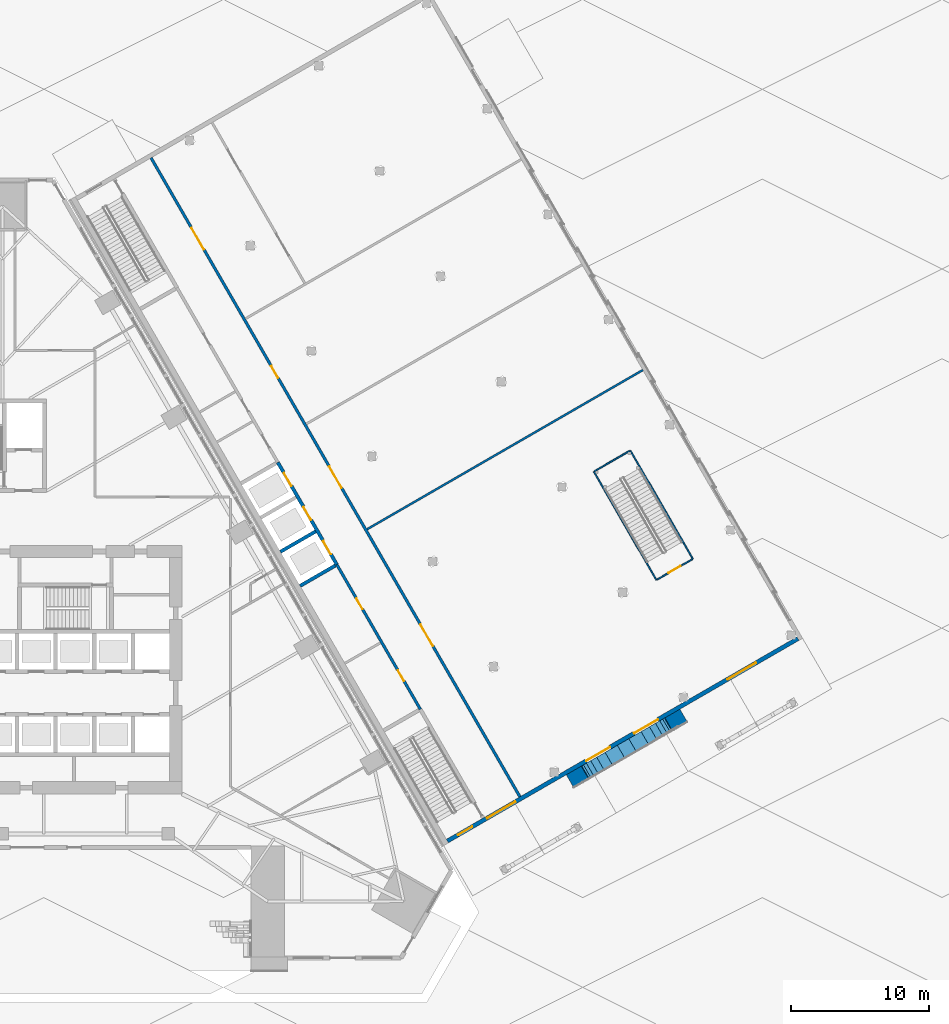
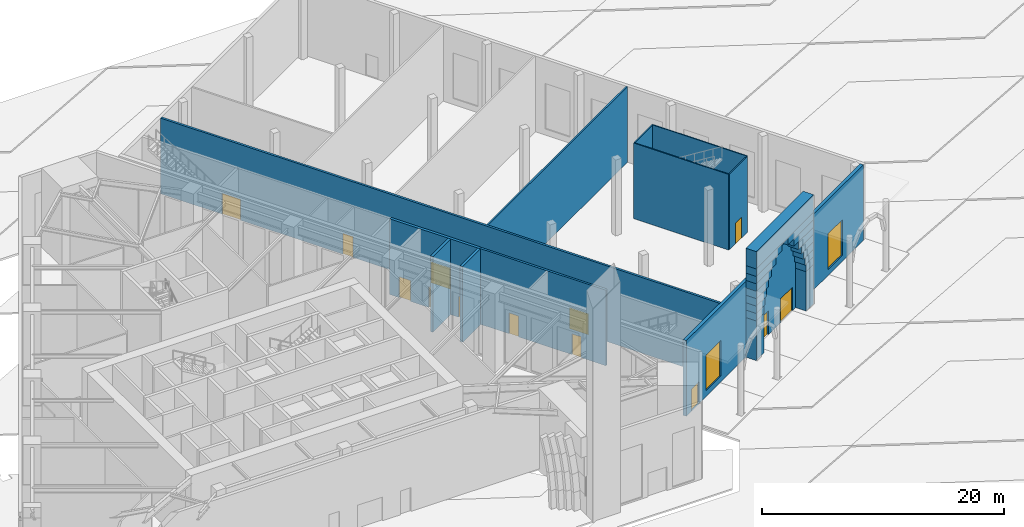
# One storey, part 17 of 34: 28 walls, 13 doors, 2 windows, 15 openings.
"""IFC4 building model written with IfcOpenShell, lengths in metres."""

from ifc_helpers import new_model, si_unit, direction, frame, frame_2d, origin, place, context, subcontext, project, spatial, rectangle, extrude, material, layer, layer_set, type_object, element, fill, save


model = new_model("IFC4")

# Units and contexts
model_context = context("Model", 3, precision=1e-05, world=origin(), true_north=direction((0.0, 1.0)))
body_context = subcontext(model_context, "Body", "Model", "MODEL_VIEW")
ifc_project = project(units=[si_unit("LENGTHUNIT", "METRE"), si_unit("AREAUNIT", "SQUARE_METRE"), si_unit("VOLUMEUNIT", "CUBIC_METRE"), si_unit("PLANEANGLEUNIT", "RADIAN"), si_unit("MASSUNIT", "GRAM", prefix="KILO")], contexts=[model_context])

# Site, building, storey
site_placement = place(None, origin())
site = spatial("IfcSite", under=ifc_project, at=site_placement, CompositionType="ELEMENT")
building_placement = place(site_placement, origin())
building = spatial("IfcBuilding", under=site, at=building_placement, Name="Firuza Gate Tower and Library", CompositionType="ELEMENT")
storey_placement = place(building_placement, origin())
storey = spatial("IfcBuildingStorey", under=building, at=storey_placement, Name="L00", CompositionType="ELEMENT", Elevation=0.0)

# Wall, openings, doors
ifc_material_1 = material(Name="Masonry block", Category="masonry")
ifc_layer_1 = layer(ifc_material_1, 0.199951171875)
ifc_layer_set_1 = layer_set([ifc_layer_1], Name="LIB CORRIDOR WALL 200")
wall_type_1 = type_object("IfcWallType", Name="LIB CORRIDOR WALL 200", PredefinedType="PARTITIONING", material=ifc_layer_set_1)
wall_1_placement = place(storey_placement, frame((105.25, 72.124755859375, 0.0), z_axis=(0.0, 0.0, 1.0), x_axis=(-0.499996309931, 0.866027534236, 0.0)))
wall_1 = element("IfcWall", 1, at=wall_1_placement, inside=storey, type_object=wall_type_1, Name="L00 corr wall 6", PredefinedType="PARTITIONING", context=body_context, shape_type="SweptSolid", body=[
    extrude(rectangle(XDim=12.08984375, YDim=0.199951171875, at=frame_2d((6.044921875, 0.0))), origin(), (0.0, 0.0, 1.0), 7.639892578125),
])
opening_1_placement = place(wall_1_placement, frame((2.364990234375, 0.0, 0.0)))
opening_1 = element("IfcOpeningElement", 2, at=opening_1_placement, cuts=wall_1, Name="Opening LIB-D1-001", PredefinedType="OPENING", context=body_context, shape_type="SweptSolid", body=[
    extrude(rectangle(XDim=0.89990234375, YDim=2.10009765625, at=frame_2d((0.449951171875, 1.050048828125))), frame((0.0, 0.10986328125, 0.0), z_axis=(0.0, -1.0, 0.0), x_axis=(1.0, 0.0, 0.0)), (0.0, 0.0, 1.0), 0.219970703125),
])
opening_2_placement = place(wall_1_placement, frame((8.364990234375, 0.0, 0.0)))
opening_2 = element("IfcOpeningElement", 3, at=opening_2_placement, cuts=wall_1, Name="Opening LIB-D1-002", PredefinedType="OPENING", context=body_context, shape_type="SweptSolid", body=[
    extrude(rectangle(XDim=0.89990234375, YDim=2.10009765625, at=frame_2d((0.449951171875, 1.050048828125))), frame((0.0, 0.10986328125, 0.0), z_axis=(0.0, -1.0, 0.0), x_axis=(1.0, 0.0, 0.0)), (0.0, 0.0, 1.0), 0.219970703125),
])
ifc_material_2 = material(Name="Timber door leaf", Category="wood")
door_type_1 = type_object("IfcDoorType", Name="LIB DOOR 900", OperationType="NOTDEFINED", PredefinedType="DOOR", material=ifc_material_2)
door_1_placement = place(opening_1_placement, origin())
door_1 = element("IfcDoor", 4, at=door_1_placement, inside=storey, type_object=door_type_1, Name="L00 door 3", OperationType="SINGLE_SWING_LEFT", OverallHeight=2.10009765625, OverallWidth=0.89990234375, PredefinedType="DOOR", context=body_context, shape_type="SweptSolid", body=[
    extrude(rectangle(XDim=0.89990234375, YDim=2.10009765625, at=frame_2d((0.449951171875, 1.050048828125))), frame((0.0, 0.02490234375, 0.0), z_axis=(0.0, -1.0, 0.0), x_axis=(1.0, 0.0, 0.0)), (0.0, 0.0, 1.0), 0.050048828125),
])
fill(opening_1, door_1)
door_2_placement = place(opening_2_placement, origin())
door_2 = element("IfcDoor", 5, at=door_2_placement, inside=storey, type_object=door_type_1, Name="L00 door 4", OperationType="SINGLE_SWING_RIGHT", OverallHeight=2.10009765625, OverallWidth=0.89990234375, PredefinedType="DOOR", context=body_context, shape_type="SweptSolid", body=[
    extrude(rectangle(XDim=0.89990234375, YDim=2.10009765625, at=frame_2d((0.449951171875, 1.050048828125))), frame((0.0, 0.02490234375, 0.0), z_axis=(0.0, -1.0, 0.0), x_axis=(1.0, 0.0, 0.0)), (0.0, 0.0, 1.0), 0.050048828125),
])
fill(opening_2, door_2)

wall_2_placement = place(storey_placement, frame((112.45556640625, 65.79443359375, 0.0), z_axis=(0.0, 0.0, 1.0), x_axis=(-0.499998559706, 0.866026235337, 0.0)))
wall_2 = element("IfcWall", 6, at=wall_2_placement, inside=storey, type_object=wall_type_1, Name="L00 corr wall 15", PredefinedType="PARTITIONING", context=body_context, shape_type="SweptSolid", body=[
    extrude(rectangle(XDim=53.400146484375, YDim=0.199951171875, at=frame_2d((26.7001953125, 0.0))), origin(), (0.0, 0.0, 1.0), 7.639892578125),
])
opening_3_placement = place(wall_2_placement, frame((12.60009765625, 0.0, 0.0)))
opening_3 = element("IfcOpeningElement", 7, at=opening_3_placement, cuts=wall_2, Name="Opening LIB-D3-001", PredefinedType="OPENING", context=body_context, shape_type="SweptSolid", body=[
    extrude(rectangle(XDim=1.800048828125, YDim=2.10009765625, at=frame_2d((0.89990234375, 1.050048828125))), frame((0.0, 0.10986328125, 0.0), z_axis=(0.0, -1.0, 0.0), x_axis=(1.0, 0.0, 0.0)), (0.0, 0.0, 1.0), 0.219970703125),
])
opening_4_placement = place(wall_2_placement, frame((25.800048828125, 0.0, 0.0)))
opening_4 = element("IfcOpeningElement", 8, at=opening_4_placement, cuts=wall_2, Name="Opening LIB-D3-002", PredefinedType="OPENING", context=body_context, shape_type="SweptSolid", body=[
    extrude(rectangle(XDim=1.800048828125, YDim=2.10009765625, at=frame_2d((0.89990234375, 1.050048828125))), frame((0.0, 0.10986328125, 0.0), z_axis=(0.0, -1.0, 0.0), x_axis=(1.0, 0.0, 0.0)), (0.0, 0.0, 1.0), 0.219970703125),
])
opening_5_placement = place(wall_2_placement, frame((35.0, 0.0, 0.0)))
opening_5 = element("IfcOpeningElement", 9, at=opening_5_placement, cuts=wall_2, Name="Opening LIB-D2-003", PredefinedType="OPENING", context=body_context, shape_type="SweptSolid", body=[
    extrude(rectangle(XDim=1.0, YDim=2.10009765625, at=frame_2d((0.5, 1.050048828125))), frame((0.0, 0.10986328125, 0.0), z_axis=(0.0, -1.0, 0.0), x_axis=(1.0, 0.0, 0.0)), (0.0, 0.0, 1.0), 0.219970703125),
])
opening_6_placement = place(wall_2_placement, frame((45.75, 0.0, 0.0)))
opening_6 = element("IfcOpeningElement", 10, at=opening_6_placement, cuts=wall_2, Name="Opening LIB-D3-003", PredefinedType="OPENING", context=body_context, shape_type="SweptSolid", body=[
    extrude(rectangle(XDim=1.800048828125, YDim=2.10009765625, at=frame_2d((0.89990234375, 1.050048828125))), frame((0.0, 0.10986328125, 0.0), z_axis=(0.0, -1.0, 0.0), x_axis=(1.0, 0.0, 0.0)), (0.0, 0.0, 1.0), 0.219970703125),
])
ifc_material_3 = material(Name="Timber door leaf", Category="wood")
door_type_2 = type_object("IfcDoorType", Name="LIB DOOR 1000", OperationType="NOTDEFINED", PredefinedType="DOOR", material=ifc_material_3)
door_3_placement = place(opening_5_placement, origin())
door_3 = element("IfcDoor", 11, at=door_3_placement, inside=storey, type_object=door_type_2, Name="L00 door 14", OperationType="SINGLE_SWING_RIGHT", OverallHeight=2.10009765625, OverallWidth=1.0, PredefinedType="DOOR", context=body_context, shape_type="SweptSolid", body=[
    extrude(rectangle(XDim=1.0, YDim=2.10009765625, at=frame_2d((0.5, 1.050048828125))), frame((0.0, 0.02490234375, 0.0), z_axis=(0.0, -1.0, 0.0), x_axis=(1.0, 0.0, 0.0)), (0.0, 0.0, 1.0), 0.050048828125),
])
fill(opening_5, door_3)
ifc_material_4 = material(Name="Timber door leaf", Category="wood")
door_type_3 = type_object("IfcDoorType", Name="LIB DOUBLE DOOR 1800", OperationType="NOTDEFINED", PredefinedType="DOOR", material=ifc_material_4)
door_4_placement = place(opening_3_placement, origin())
door_4 = element("IfcDoor", 12, at=door_4_placement, inside=storey, type_object=door_type_3, Name="L00 door 12", OperationType="DOUBLE_DOOR_SINGLE_SWING", OverallHeight=2.10009765625, OverallWidth=1.800048828125, PredefinedType="DOOR", context=body_context, shape_type="SweptSolid", body=[
    extrude(rectangle(XDim=1.800048828125, YDim=2.10009765625, at=frame_2d((0.89990234375, 1.050048828125))), frame((0.0, 0.02490234375, 0.0), z_axis=(0.0, -1.0, 0.0), x_axis=(1.0, 0.0, 0.0)), (0.0, 0.0, 1.0), 0.050048828125),
])
fill(opening_3, door_4)
door_5_placement = place(opening_4_placement, origin())
door_5 = element("IfcDoor", 13, at=door_5_placement, inside=storey, type_object=door_type_3, Name="L00 door 13", OperationType="DOUBLE_DOOR_SINGLE_SWING", OverallHeight=2.10009765625, OverallWidth=1.800048828125, PredefinedType="DOOR", context=body_context, shape_type="SweptSolid", body=[
    extrude(rectangle(XDim=1.800048828125, YDim=2.10009765625, at=frame_2d((0.89990234375, 1.050048828125))), frame((0.0, 0.02490234375, 0.0), z_axis=(0.0, -1.0, 0.0), x_axis=(1.0, 0.0, 0.0)), (0.0, 0.0, 1.0), 0.050048828125),
])
fill(opening_4, door_5)
door_6_placement = place(opening_6_placement, origin())
door_6 = element("IfcDoor", 14, at=door_6_placement, inside=storey, type_object=door_type_3, Name="L00 door 15", OperationType="DOUBLE_DOOR_SINGLE_SWING", OverallHeight=2.10009765625, OverallWidth=1.800048828125, PredefinedType="DOOR", context=body_context, shape_type="SweptSolid", body=[
    extrude(rectangle(XDim=1.800048828125, YDim=2.10009765625, at=frame_2d((0.89990234375, 1.050048828125))), frame((0.0, 0.02490234375, 0.0), z_axis=(0.0, -1.0, 0.0), x_axis=(1.0, 0.0, 0.0)), (0.0, 0.0, 1.0), 0.050048828125),
])
fill(opening_6, door_6)

# Wall, openings, doors, windows
ifc_material_5 = material(Name="Concrete C30/37", Category="concrete")
ifc_layer_2 = layer(ifc_material_5, 0.300048828125)
ifc_layer_set_2 = layer_set([ifc_layer_2], Name="LIB EXTERNAL WALL 300")
wall_type_2 = type_object("IfcWallType", Name="LIB EXTERNAL WALL 300", PredefinedType="SOLIDWALL", material=ifc_layer_set_2)
wall_3_placement = place(storey_placement, frame((132.5791015625, 77.239501953125, 0.0), z_axis=(0.0, 0.0, 1.0), x_axis=(-0.866028651824, -0.499994374189, 0.0)))
wall_3 = element("IfcWall", 15, at=wall_3_placement, inside=storey, type_object=wall_type_2, Name="L00 south wall", PredefinedType="SOLIDWALL", context=body_context, shape_type="SweptSolid", body=[
    extrude(rectangle(XDim=29.300048828125, YDim=0.300048828125, at=frame_2d((14.64990234375, 0.0))), origin(), (0.0, 0.0, 1.0), 7.639892578125),
])
opening_7_placement = place(wall_3_placement, frame((15.699951171875, 0.0, 0.0)))
opening_7 = element("IfcOpeningElement", 16, at=opening_7_placement, cuts=wall_3, Name="Opening LIB-D6-001", PredefinedType="OPENING", context=body_context, shape_type="SweptSolid", body=[
    extrude(rectangle(XDim=2.0, YDim=2.39990234375, at=frame_2d((1.0, 1.199951171875))), frame((0.0, 0.16015625, 0.0), z_axis=(0.0, -1.0, 0.0), x_axis=(1.0, 0.0, 0.0)), (0.0, 0.0, 1.0), 0.320068359375),
])
opening_8_placement = place(wall_3_placement, frame((11.699951171875, 0.0, 0.0)))
opening_8 = element("IfcOpeningElement", 17, at=opening_8_placement, cuts=wall_3, Name="Opening LIB-D6-002", PredefinedType="OPENING", context=body_context, shape_type="SweptSolid", body=[
    extrude(rectangle(XDim=2.0, YDim=2.39990234375, at=frame_2d((1.0, 1.199951171875))), frame((0.0, 0.16015625, 0.0), z_axis=(0.0, -1.0, 0.0), x_axis=(1.0, 0.0, 0.0)), (0.0, 0.0, 1.0), 0.320068359375),
])
opening_9_placement = place(wall_3_placement, frame((27.22509765625, 0.0, 0.0)))
opening_9 = element("IfcOpeningElement", 18, at=opening_9_placement, cuts=wall_3, Name="Opening LIB-D5-003", PredefinedType="OPENING", context=body_context, shape_type="SweptSolid", body=[
    extrude(rectangle(XDim=1.199951171875, YDim=2.199951171875, at=frame_2d((0.60009765625, 1.10009765625))), frame((0.0, 0.16015625, 0.0), z_axis=(0.0, -1.0, 0.0), x_axis=(1.0, 0.0, 0.0)), (0.0, 0.0, 1.0), 0.320068359375),
])
opening_10_placement = place(wall_3_placement, frame((23.60009765625, 0.0, 0.60009765625)))
opening_10 = element("IfcOpeningElement", 19, at=opening_10_placement, cuts=wall_3, Name="Opening LIB-WN3-001", PredefinedType="OPENING", context=body_context, shape_type="SweptSolid", body=[
    extrude(rectangle(XDim=2.39990234375, YDim=3.60009765625, at=frame_2d((1.199951171875, 1.800048828125))), frame((0.0, 0.16015625, 0.0), z_axis=(0.0, -1.0, 0.0), x_axis=(1.0, 0.0, 0.0)), (0.0, 0.0, 1.0), 0.320068359375),
])
opening_11_placement = place(wall_3_placement, frame((3.5, 0.0, 0.60009765625)))
opening_11 = element("IfcOpeningElement", 20, at=opening_11_placement, cuts=wall_3, Name="Opening LIB-WN3-002", PredefinedType="OPENING", context=body_context, shape_type="SweptSolid", body=[
    extrude(rectangle(XDim=2.39990234375, YDim=3.60009765625, at=frame_2d((1.199951171875, 1.800048828125))), frame((0.0, 0.16015625, 0.0), z_axis=(0.0, -1.0, 0.0), x_axis=(1.0, 0.0, 0.0)), (0.0, 0.0, 1.0), 0.320068359375),
])
ifc_material_6 = material(Name="Aluminium and glass door leaf", Category="aluminium")
door_type_4 = type_object("IfcDoorType", Name="LIB ENTRANCE DOOR 2000", OperationType="NOTDEFINED", PredefinedType="DOOR", material=ifc_material_6)
door_7_placement = place(opening_7_placement, origin())
door_7 = element("IfcDoor", 21, at=door_7_placement, inside=storey, type_object=door_type_4, Name="L00 entrance door 1", OperationType="DOUBLE_DOOR_SINGLE_SWING", OverallHeight=2.39990234375, OverallWidth=2.0, PredefinedType="DOOR", context=body_context, shape_type="SweptSolid", body=[
    extrude(rectangle(XDim=2.0, YDim=2.39990234375, at=frame_2d((1.0, 1.199951171875))), frame((0.0, 0.02490234375, 0.0), z_axis=(0.0, -1.0, 0.0), x_axis=(1.0, 0.0, 0.0)), (0.0, 0.0, 1.0), 0.050048828125),
])
fill(opening_7, door_7)
door_8_placement = place(opening_8_placement, origin())
door_8 = element("IfcDoor", 22, at=door_8_placement, inside=storey, type_object=door_type_4, Name="L00 entrance door 2", OperationType="DOUBLE_DOOR_SINGLE_SWING", OverallHeight=2.39990234375, OverallWidth=2.0, PredefinedType="DOOR", context=body_context, shape_type="SweptSolid", body=[
    extrude(rectangle(XDim=2.0, YDim=2.39990234375, at=frame_2d((1.0, 1.199951171875))), frame((0.0, 0.02490234375, 0.0), z_axis=(0.0, -1.0, 0.0), x_axis=(1.0, 0.0, 0.0)), (0.0, 0.0, 1.0), 0.050048828125),
])
fill(opening_8, door_8)
ifc_material_7 = material(Name="Steel S235 door leaf", Category="steel")
door_type_5 = type_object("IfcDoorType", Name="LIB EXIT DOOR 1200", OperationType="NOTDEFINED", PredefinedType="DOOR", material=ifc_material_7)
door_9_placement = place(opening_9_placement, origin())
door_9 = element("IfcDoor", 23, at=door_9_placement, inside=storey, type_object=door_type_5, Name="L00 exit door B", OperationType="SINGLE_SWING_LEFT", OverallHeight=2.199951171875, OverallWidth=1.199951171875, PredefinedType="DOOR", context=body_context, shape_type="SweptSolid", body=[
    extrude(rectangle(XDim=1.199951171875, YDim=2.199951171875, at=frame_2d((0.60009765625, 1.10009765625))), frame((0.0, 0.02490234375, 0.0), z_axis=(0.0, -1.0, 0.0), x_axis=(1.0, 0.0, 0.0)), (0.0, 0.0, 1.0), 0.050048828125),
])
fill(opening_9, door_9)
ifc_material_8 = material(Name="Ceramic-fritted glass", Category="glass")
window_type = type_object("IfcWindowType", Name="LIB WINDOW 2400X3600", PartitioningType="SINGLE_PANEL", PredefinedType="WINDOW", material=ifc_material_8)
window_1_placement = place(opening_10_placement, origin())
window_1 = element("IfcWindow", 24, at=window_1_placement, inside=storey, type_object=window_type, Name="L00 south window 4", OverallHeight=3.60009765625, OverallWidth=2.39990234375, PartitioningType="SINGLE_PANEL", PredefinedType="WINDOW", context=body_context, shape_type="SweptSolid", body=[
    extrude(rectangle(XDim=2.39990234375, YDim=3.60009765625, at=frame_2d((1.199951171875, 1.800048828125))), frame((0.0, 0.030029296875, 0.0), z_axis=(0.0, -1.0, 0.0), x_axis=(1.0, 0.0, 0.0)), (0.0, 0.0, 1.0), 0.06005859375),
])
fill(opening_10, window_1)
window_2_placement = place(opening_11_placement, origin())
window_2 = element("IfcWindow", 25, at=window_2_placement, inside=storey, type_object=window_type, Name="L00 south window 25", OverallHeight=3.60009765625, OverallWidth=2.39990234375, PartitioningType="SINGLE_PANEL", PredefinedType="WINDOW", context=body_context, shape_type="SweptSolid", body=[
    extrude(rectangle(XDim=2.39990234375, YDim=3.60009765625, at=frame_2d((1.199951171875, 1.800048828125))), frame((0.0, 0.030029296875, 0.0), z_axis=(0.0, -1.0, 0.0), x_axis=(1.0, 0.0, 0.0)), (0.0, 0.0, 1.0), 0.06005859375),
])
fill(opening_11, window_2)

# Walls
ifc_material_9 = material(Name="Laminated glass", Category="glass")
ifc_layer_3 = layer(ifc_material_9, 0.10009765625)
ifc_layer_set_3 = layer_set([ifc_layer_3], Name="LIB GLAZED STAIR SCREEN 100")
wall_type_3 = type_object("IfcWallType", Name="LIB GLAZED STAIR SCREEN 100", PredefinedType="PARTITIONING", material=ifc_layer_set_3)
for number, where, z_axis, x_axis, name in (
    (26, (122.333251953125, 81.485595703125, 0.0), (0.0, 0.0, 1.0), (-0.500002365587, 0.866024038008, 0.0), "L00 glass wall 17"),
    (27, (124.974609375, 83.010498046875, 0.0), (0.0, 0.0, 1.0), (-0.500002365587, 0.866024038008, 0.0), "L00 glass wall 18"),
):
    element("IfcWall", number, at=place(storey_placement, frame(where, z_axis=z_axis, x_axis=x_axis)), inside=storey, type_object=wall_type_3, Name=name, PredefinedType="PARTITIONING", context=body_context, shape_type="SweptSolid", body=[
        extrude(rectangle(XDim=9.06005859375, YDim=0.10009765625, at=frame_2d((4.530029296875, 0.0))), origin(), (0.0, 0.0, 1.0), 7.639892578125),
    ])

# Wall, opening, door
wall_4_placement = place(storey_placement, frame((122.376708984375, 81.510498046875, 0.0), z_axis=(0.0, 0.0, 1.0), x_axis=(0.866003658127, 0.500037662692, 0.0)))
wall_4 = element("IfcWall", 28, at=wall_4_placement, inside=storey, type_object=wall_type_3, Name="L00 glass wall 19", PredefinedType="PARTITIONING", context=body_context, shape_type="SweptSolid", body=[
    extrude(rectangle(XDim=2.949951171875, YDim=0.10009765625, at=frame_2d((1.47509765625, 0.0))), origin(), (0.0, 0.0, 1.0), 7.639892578125),
])
opening_12_placement = place(wall_4_placement, frame((0.97509765625, 0.0, 0.0)))
opening_12 = element("IfcOpeningElement", 29, at=opening_12_placement, cuts=wall_4, Name="Opening LIB-D2-002", PredefinedType="OPENING", context=body_context, shape_type="SweptSolid", body=[
    extrude(rectangle(XDim=1.0, YDim=2.10009765625, at=frame_2d((0.5, 1.050048828125))), frame((0.0, 0.06005859375, 0.0), z_axis=(0.0, -1.0, 0.0), x_axis=(1.0, 0.0, 0.0)), (0.0, 0.0, 1.0), 0.1201171875),
])
door_10_placement = place(opening_12_placement, origin())
door_10 = element("IfcDoor", 30, at=door_10_placement, inside=storey, type_object=door_type_2, Name="L00 door 11", OperationType="SINGLE_SWING_LEFT", OverallHeight=2.10009765625, OverallWidth=1.0, PredefinedType="DOOR", context=body_context, shape_type="SweptSolid", body=[
    extrude(rectangle(XDim=1.0, YDim=2.10009765625, at=frame_2d((0.5, 1.050048828125))), frame((0.0, 0.02490234375, 0.0), z_axis=(0.0, -1.0, 0.0), x_axis=(1.0, 0.0, 0.0)), (0.0, 0.0, 1.0), 0.050048828125),
])
fill(opening_12, door_10)

# Walls
wall_5_placement = place(storey_placement, frame((117.8466796875, 89.356689453125, 0.0), z_axis=(0.0, 0.0, 1.0), x_axis=(0.866003658127, 0.500037662692, 0.0)))
element("IfcWall", 31, at=wall_5_placement, inside=storey, type_object=wall_type_3, Name="L00 glass wall 20", PredefinedType="PARTITIONING", context=body_context, shape_type="SweptSolid", body=[
    extrude(rectangle(XDim=2.949951171875, YDim=0.10009765625, at=frame_2d((1.47509765625, 0.0))), origin(), (0.0, 0.0, 1.0), 7.639892578125),
])
ifc_material_10 = material(Name="Gypsum board on steel studs", Category="steel")
ifc_layer_4 = layer(ifc_material_10, 0.14990234375)
ifc_layer_set_4 = layer_set([ifc_layer_4], Name="LIB PARTITION 150")
wall_type_4 = type_object("IfcWallType", Name="LIB PARTITION 150", PredefinedType="PARTITIONING", material=ifc_layer_set_4)
wall_6_placement = place(storey_placement, frame((101.39208984375, 85.15673828125, 0.0), z_axis=(0.0, 0.0, 1.0), x_axis=(0.866022961126, 0.500004230785, 0.0)))
element("IfcWall", 32, at=wall_6_placement, inside=storey, type_object=wall_type_4, Name="L00 part wall 16", PredefinedType="PARTITIONING", context=body_context, shape_type="SweptSolid", body=[
    extrude(rectangle(XDim=23.050048828125, YDim=0.14990234375, at=frame_2d((11.52490234375, 0.0))), origin(), (0.0, 0.0, 1.0), 7.639892578125),
])
ifc_material_11 = material(Name="Concrete C40/50", Category="concrete")
ifc_layer_5 = layer(ifc_material_11, 1.0)
ifc_layer_set_5 = layer_set([ifc_layer_5], Name="LIB PISHTAQ WALL 1000")
wall_type_5 = type_object("IfcWallType", Name="LIB PISHTAQ WALL 1000", PredefinedType="SOLIDWALL", material=ifc_layer_set_5)
for number, where, z_axis, x_axis, name in (
    (33, (116.059814453125, 66.95166015625, 0.0), (0.0, 0.0, 1.0), (0.866022959057, 0.500004234368, 0.0), "Pishtaq pier 1"),
    (34, (123.20458984375, 71.07666015625, 0.0), (0.0, 0.0, 1.0), (0.866022959057, 0.500004234368, 0.0), "Pishtaq pier 2"),
):
    element("IfcWall", number, at=place(storey_placement, frame(where, z_axis=z_axis, x_axis=x_axis)), inside=storey, type_object=wall_type_5, Name=name, PredefinedType="SOLIDWALL", context=body_context, shape_type="SweptSolid", body=[
        extrude(rectangle(XDim=1.25, YDim=1.0, at=frame_2d((0.625, 0.0))), origin(), (0.0, 0.0, 1.0), 4.0),
    ])
for number, where, z_axis, x_axis, name in (
    (35, (116.059814453125, 66.95166015625, 4.0), (0.0, 0.0, 1.0), (0.866044474677, 0.49996696679, 0.0), "Pishtaq step 1 west"),
    (36, (123.164306640625, 71.053466796875, 4.0), (0.0, 0.0, 1.0), (0.866044474677, 0.49996696679, 0.0), "Pishtaq step 1 east"),
):
    element("IfcWall", number, at=place(storey_placement, frame(where, z_axis=z_axis, x_axis=x_axis)), inside=storey, type_object=wall_type_5, Name=name, PredefinedType="SOLIDWALL", context=body_context, shape_type="SweptSolid", body=[
        extrude(rectangle(XDim=1.29638671875, YDim=1.0, at=frame_2d((0.648193359375, 0.0))), origin(), (0.0, 0.0, 1.0), 0.75),
    ])
for number, where, z_axis, x_axis, name in (
    (37, (116.059814453125, 66.95166015625, 4.75), (0.0, 0.0, 1.0), (0.866072521774, 0.499918380366, 0.0), "Pishtaq step 2 west"),
    (38, (123.04150390625, 70.982421875, 4.75), (0.0, 0.0, 1.0), (0.865999022067, 0.500045691691, 0.0), "Pishtaq step 2 east"),
):
    element("IfcWall", number, at=place(storey_placement, frame(where, z_axis=z_axis, x_axis=x_axis)), inside=storey, type_object=wall_type_5, Name=name, PredefinedType="SOLIDWALL", context=body_context, shape_type="SweptSolid", body=[
        extrude(rectangle(XDim=1.438232421875, YDim=1.0, at=frame_2d((0.71923828125, 0.0))), origin(), (0.0, 0.0, 1.0), 0.75),
    ])
wall_7_placement = place(storey_placement, frame((116.059814453125, 66.95166015625, 5.5), z_axis=(0.0, 0.0, 1.0), x_axis=(0.866028486751, 0.499994660107, 0.0)))
element("IfcWall", 39, at=wall_7_placement, inside=storey, type_object=wall_type_5, Name="Pishtaq step 3 west", PredefinedType="SOLIDWALL", context=body_context, shape_type="SweptSolid", body=[
    extrude(rectangle(XDim=1.68212890625, YDim=1.0, at=frame_2d((0.841064453125, 0.0))), origin(), (0.0, 0.0, 1.0), 0.75),
])
wall_8_placement = place(storey_placement, frame((122.830078125, 70.860595703125, 5.5), z_axis=(0.0, 0.0, 1.0), x_axis=(0.866064763219, 0.499931821262, 0.0)))
element("IfcWall", 40, at=wall_8_placement, inside=storey, type_object=wall_type_5, Name="Pishtaq step 3 east", PredefinedType="SOLIDWALL", context=body_context, shape_type="SweptSolid", body=[
    extrude(rectangle(XDim=1.682373046875, YDim=1.0, at=frame_2d((0.84130859375, 0.0))), origin(), (0.0, 0.0, 1.0), 0.75),
])
wall_9_placement = place(storey_placement, frame((116.059814453125, 66.95166015625, 6.25), z_axis=(0.0, 0.0, 1.0), x_axis=(0.866028374016, 0.499994855372, 0.0)))
element("IfcWall", 41, at=wall_9_placement, inside=storey, type_object=wall_type_5, Name="Pishtaq step 4 west", PredefinedType="SOLIDWALL", context=body_context, shape_type="SweptSolid", body=[
    extrude(rectangle(XDim=2.04296875, YDim=1.0, at=frame_2d((1.021484375, 0.0))), origin(), (0.0, 0.0, 1.0), 0.75),
])
wall_10_placement = place(storey_placement, frame((122.517578125, 70.68017578125, 6.25), z_axis=(0.0, 0.0, 1.0), x_axis=(0.866058244174, 0.499943114462, 0.0)))
element("IfcWall", 42, at=wall_10_placement, inside=storey, type_object=wall_type_5, Name="Pishtaq step 4 east", PredefinedType="SOLIDWALL", context=body_context, shape_type="SweptSolid", body=[
    extrude(rectangle(XDim=2.043212890625, YDim=1.0, at=frame_2d((1.021484375, 0.0))), origin(), (0.0, 0.0, 1.0), 0.75),
])
for number, where, z_axis, x_axis, name in (
    (43, (116.059814453125, 66.95166015625, 7.0), (0.0, 0.0, 1.0), (0.86603391344, 0.499985260555, 0.0), "Pishtaq step 5 west"),
    (44, (122.081787109375, 70.428466796875, 7.0), (0.0, 0.0, 1.0), (0.86603391344, 0.499985260555, 0.0), "Pishtaq step 5 east"),
):
    element("IfcWall", number, at=place(storey_placement, frame(where, z_axis=z_axis, x_axis=x_axis)), inside=storey, type_object=wall_type_5, Name=name, PredefinedType="SOLIDWALL", context=body_context, shape_type="SweptSolid", body=[
        extrude(rectangle(XDim=2.54638671875, YDim=1.0, at=frame_2d((1.273193359375, 0.0))), origin(), (0.0, 0.0, 1.0), 0.75),
    ])
for number, where, z_axis, x_axis, name in (
    (45, (116.059814453125, 66.95166015625, 7.75), (0.0, 0.0, 1.0), (0.866026499801, 0.499998101639, 0.0), "Pishtaq step 6 west"),
    (46, (121.476318359375, 70.078857421875, 7.75), (0.0, 0.0, 1.0), (0.866026499801, 0.499998101639, 0.0), "Pishtaq step 6 east"),
):
    element("IfcWall", number, at=place(storey_placement, frame(where, z_axis=z_axis, x_axis=x_axis)), inside=storey, type_object=wall_type_5, Name=name, PredefinedType="SOLIDWALL", context=body_context, shape_type="SweptSolid", body=[
        extrude(rectangle(XDim=3.24560546875, YDim=1.0, at=frame_2d((1.622802734375, 0.0))), origin(), (0.0, 0.0, 1.0), 0.75),
    ])
wall_11_placement = place(storey_placement, frame((116.059814453125, 66.95166015625, 8.5), z_axis=(0.0, 0.0, 1.0), x_axis=(0.866015223291, 0.500017632718, 0.0)))
element("IfcWall", 47, at=wall_11_placement, inside=storey, type_object=wall_type_5, Name="Pishtaq step 7 west", PredefinedType="SOLIDWALL", context=body_context, shape_type="SweptSolid", body=[
    extrude(rectangle(XDim=4.271728515625, YDim=1.0, at=frame_2d((2.1357421875, 0.0))), origin(), (0.0, 0.0, 1.0), 0.75),
])
wall_12_placement = place(storey_placement, frame((120.58740234375, 69.565673828125, 8.5), z_axis=(0.0, 0.0, 1.0), x_axis=(0.866029511089, 0.499992885873, 0.0)))
element("IfcWall", 48, at=wall_12_placement, inside=storey, type_object=wall_type_5, Name="Pishtaq step 7 east", PredefinedType="SOLIDWALL", context=body_context, shape_type="SweptSolid", body=[
    extrude(rectangle(XDim=4.27197265625, YDim=1.0, at=frame_2d((2.135986328125, 0.0))), origin(), (0.0, 0.0, 1.0), 0.75),
])
wall_13_placement = place(storey_placement, frame((116.059814453125, 66.95166015625, 9.25), z_axis=(0.0, 0.0, 1.0), x_axis=(0.86602681393, 0.499997557548, 0.0)))
element("IfcWall", 49, at=wall_13_placement, inside=storey, type_object=wall_type_5, Name="Pishtaq lintel", PredefinedType="SOLIDWALL", context=body_context, shape_type="SweptSolid", body=[
    extrude(rectangle(XDim=9.5, YDim=1.0, at=frame_2d((4.75, 0.0))), origin(), (0.0, 0.0, 1.0), 1.75),
])

# Wall, openings, doors
ifc_material_12 = material(Name="Concrete C40/50", Category="concrete")
ifc_layer_6 = layer(ifc_material_12, 0.25)
ifc_layer_set_6 = layer_set([ifc_layer_6], Name="LIB SHAFT WALL 250")
wall_type_6 = type_object("IfcWallType", Name="LIB SHAFT WALL 250", PredefinedType="SOLIDWALL", material=ifc_layer_set_6)
wall_14_placement = place(storey_placement, frame((99.205078125, 82.594970703125, 0.0), z_axis=(0.0, 0.0, 1.0), x_axis=(-0.500011643316, 0.866018681408, 0.0)))
wall_14 = element("IfcWall", 50, at=wall_14_placement, inside=storey, type_object=wall_type_6, Name="L00 shaft wall 3", PredefinedType="SOLIDWALL", context=body_context, shape_type="SweptSolid", body=[
    extrude(rectangle(XDim=8.550048828125, YDim=0.25, at=frame_2d((4.27490234375, 0.0))), origin(), (0.0, 0.0, 1.0), 7.639892578125),
])
opening_13_placement = place(wall_14_placement, frame((0.875, 0.0, 0.0)))
opening_13 = element("IfcOpeningElement", 51, at=opening_13_placement, cuts=wall_14, Name="Opening LIB-LD1-001", PredefinedType="OPENING", context=body_context, shape_type="SweptSolid", body=[
    extrude(rectangle(XDim=1.10009765625, YDim=2.10009765625, at=frame_2d((0.550048828125, 1.050048828125))), frame((0.0, 0.135009765625, 0.0), z_axis=(0.0, -1.0, 0.0), x_axis=(1.0, 0.0, 0.0)), (0.0, 0.0, 1.0), 0.27001953125),
])
opening_14_placement = place(wall_14_placement, frame((3.72509765625, 0.0, 0.0)))
opening_14 = element("IfcOpeningElement", 52, at=opening_14_placement, cuts=wall_14, Name="Opening LIB-LD1-002", PredefinedType="OPENING", context=body_context, shape_type="SweptSolid", body=[
    extrude(rectangle(XDim=1.10009765625, YDim=2.10009765625, at=frame_2d((0.550048828125, 1.050048828125))), frame((0.0, 0.135009765625, 0.0), z_axis=(0.0, -1.0, 0.0), x_axis=(1.0, 0.0, 0.0)), (0.0, 0.0, 1.0), 0.27001953125),
])
opening_15_placement = place(wall_14_placement, frame((6.574951171875, 0.0, 0.0)))
opening_15 = element("IfcOpeningElement", 53, at=opening_15_placement, cuts=wall_14, Name="Opening LIB-LD1-003", PredefinedType="OPENING", context=body_context, shape_type="SweptSolid", body=[
    extrude(rectangle(XDim=1.10009765625, YDim=2.10009765625, at=frame_2d((0.550048828125, 1.050048828125))), frame((0.0, 0.135009765625, 0.0), z_axis=(0.0, -1.0, 0.0), x_axis=(1.0, 0.0, 0.0)), (0.0, 0.0, 1.0), 0.27001953125),
])
ifc_material_13 = material(Name="Stainless steel 316", Category="steel")
door_type_6 = type_object("IfcDoorType", Name="LIB LANDING DOOR 1100", OperationType="DOUBLE_DOOR_SLIDING", PredefinedType="DOOR", material=ifc_material_13)
door_11_placement = place(opening_13_placement, origin())
door_11 = element("IfcDoor", 54, at=door_11_placement, inside=storey, type_object=door_type_6, Name="L00 door 7", OperationType="DOUBLE_DOOR_SLIDING", OverallHeight=2.10009765625, OverallWidth=1.10009765625, PredefinedType="DOOR", context=body_context, shape_type="SweptSolid", body=[
    extrude(rectangle(XDim=1.10009765625, YDim=2.10009765625, at=frame_2d((0.550048828125, 1.050048828125))), frame((0.0, 0.02490234375, 0.0), z_axis=(0.0, -1.0, 0.0), x_axis=(1.0, 0.0, 0.0)), (0.0, 0.0, 1.0), 0.050048828125),
])
fill(opening_13, door_11)
door_12_placement = place(opening_14_placement, origin())
door_12 = element("IfcDoor", 55, at=door_12_placement, inside=storey, type_object=door_type_6, Name="L00 door 8", OperationType="DOUBLE_DOOR_SLIDING", OverallHeight=2.10009765625, OverallWidth=1.10009765625, PredefinedType="DOOR", context=body_context, shape_type="SweptSolid", body=[
    extrude(rectangle(XDim=1.10009765625, YDim=2.10009765625, at=frame_2d((0.550048828125, 1.050048828125))), frame((0.0, 0.02490234375, 0.0), z_axis=(0.0, -1.0, 0.0), x_axis=(1.0, 0.0, 0.0)), (0.0, 0.0, 1.0), 0.050048828125),
])
fill(opening_14, door_12)
door_13_placement = place(opening_15_placement, origin())
door_13 = element("IfcDoor", 56, at=door_13_placement, inside=storey, type_object=door_type_6, Name="L00 door 9", OperationType="DOUBLE_DOOR_SLIDING", OverallHeight=2.10009765625, OverallWidth=1.10009765625, PredefinedType="DOOR", context=body_context, shape_type="SweptSolid", body=[
    extrude(rectangle(XDim=1.10009765625, YDim=2.10009765625, at=frame_2d((0.550048828125, 1.050048828125))), frame((0.0, 0.02490234375, 0.0), z_axis=(0.0, -1.0, 0.0), x_axis=(1.0, 0.0, 0.0)), (0.0, 0.0, 1.0), 0.050048828125),
])
fill(opening_15, door_13)

# Walls
for number, where, z_axis, x_axis, name in (
    (57, (96.5419921875, 81.0576171875, 0.0), (0.0, 0.0, 1.0), (0.866039495442, 0.49997559174, 0.0), "L00 shaft wall 8"),
    (58, (95.116943359375, 83.525634765625, 0.0), (0.0, 0.0, 1.0), (0.866003658127, 0.500037662692, 0.0), "L00 shaft wall 9"),
):
    element("IfcWall", number, at=place(storey_placement, frame(where, z_axis=z_axis, x_axis=x_axis)), inside=storey, type_object=wall_type_6, Name=name, PredefinedType="SOLIDWALL", context=body_context, shape_type="SweptSolid", body=[
        extrude(rectangle(XDim=2.949951171875, YDim=0.25, at=frame_2d((1.47509765625, 0.0))), origin(), (0.0, 0.0, 1.0), 7.639892578125),
    ])

save(model, "model.ifc")
